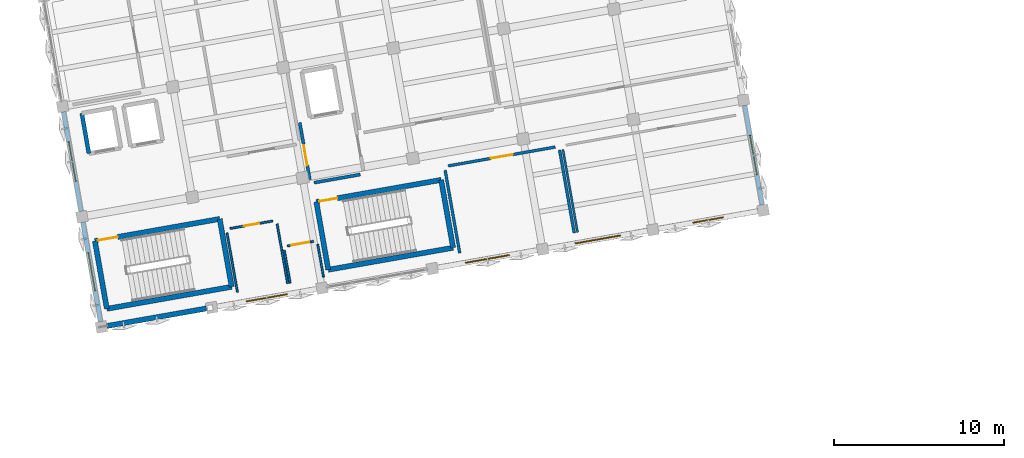
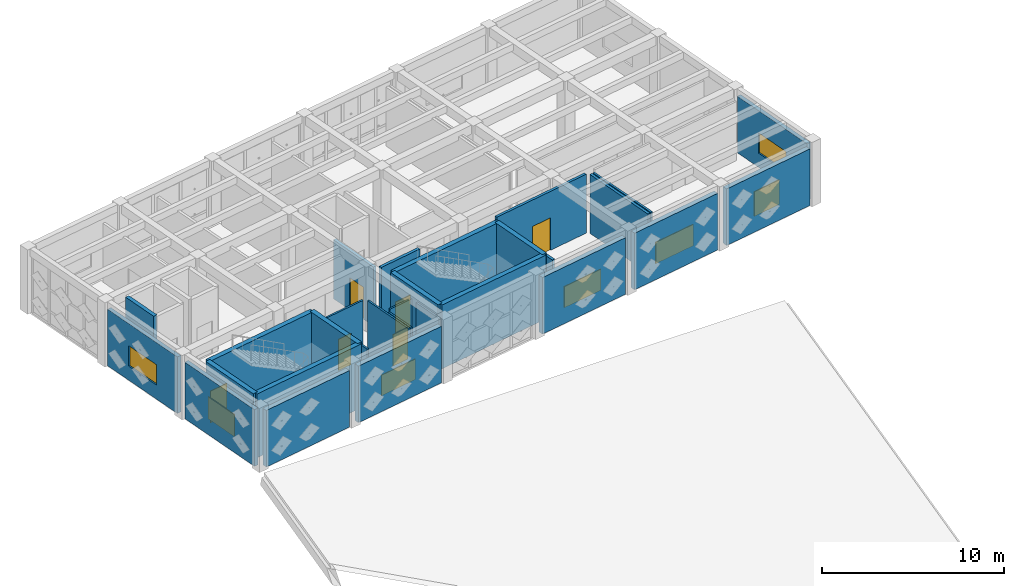
# One storey, part 29 of 39: 29 walls, 7 windows, 6 doors, 13 openings.
"""IFC4 building model written with IfcOpenShell, lengths in metres."""

from ifc_helpers import new_model, si_unit, direction, frame, frame_2d, origin, place, context, subcontext, project, spatial, rectangle, extrude, material, layer, layer_set, type_object, element, fill, save


model = new_model("IFC4")

# Units and contexts
model_context = context("Model", 3, precision=1e-05, world=origin(), true_north=direction((0.0, 1.0)))
body_context = subcontext(model_context, "Body", "Model", "MODEL_VIEW")
ifc_project = project(units=[si_unit("LENGTHUNIT", "METRE"), si_unit("AREAUNIT", "SQUARE_METRE"), si_unit("VOLUMEUNIT", "CUBIC_METRE"), si_unit("PLANEANGLEUNIT", "RADIAN"), si_unit("MASSUNIT", "GRAM", prefix="KILO")], contexts=[model_context])

# Site, building, storey
site_placement = place(None, origin())
site = spatial("IfcSite", under=ifc_project, at=site_placement, CompositionType="ELEMENT")
building_placement = place(site_placement, origin())
building = spatial("IfcBuilding", under=site, at=building_placement, Name="Kharisveld Research Institute", CompositionType="ELEMENT")
storey_placement = place(building_placement, frame((0.0, 0.0, 23.10009765625)))
storey = spatial("IfcBuildingStorey", under=building, at=storey_placement, Name="L05", CompositionType="ELEMENT", Elevation=23.10009765625)

# Walls
ifc_material_1 = material(Name="Concrete C40/50", Category="concrete")
ifc_layer_1 = layer(ifc_material_1, 0.239990234375)
ifc_layer_set_1 = layer_set([ifc_layer_1], Name="WL_CORE_240")
wall_type_1 = type_object("IfcWallType", Name="WL_CORE_240", PredefinedType="SHEAR", material=ifc_layer_set_1)
wall_1_placement = place(storey_placement, frame((4.462890625, 45.2373046875, 0.0), z_axis=(0.0, 0.0, 1.0), x_axis=(-0.173646056486, 0.984808127031, 0.0)))
element("IfcWall", 1, at=wall_1_placement, inside=storey, type_object=wall_type_1, Name="WL:LFT:PL-01:L05:W", PredefinedType="SHEAR", context=body_context, shape_type="SweptSolid", body=[
    extrude(rectangle(XDim=2.39990234375, YDim=0.239990234375, at=frame_2d((1.199951171875, 0.0))), origin(), (0.0, 0.0, 1.0), 4.27978515625),
])
ifc_material_2 = material(Name="Concrete C40/50", Category="concrete")
ifc_layer_2 = layer(ifc_material_2, 0.300048828125)
ifc_layer_set_2 = layer_set([ifc_layer_2], Name="WL_CORE_300")
wall_type_2 = type_object("IfcWallType", Name="WL_CORE_300", PredefinedType="SHEAR", material=ifc_layer_set_2)
wall_2_placement = place(storey_placement, frame((5.518798828125, 36.08154296875, 0.0), z_axis=(0.0, 0.0, 1.0), x_axis=(-0.173665267602, 0.984804739443, 0.0)))
element("IfcWall", 2, at=wall_2_placement, inside=storey, type_object=wall_type_2, Name="WL:STR:ST1:L05:W", PredefinedType="SHEAR", context=body_context, shape_type="SweptSolid", body=[
    extrude(rectangle(XDim=4.06005859375, YDim=0.300048828125, at=frame_2d((2.030029296875, 0.0))), origin(), (0.0, 0.0, 1.0), 4.27978515625),
])

# Wall, opening, door
wall_3_placement = place(storey_placement, frame((4.813720703125, 40.079833984375, 0.0), z_axis=(0.0, 0.0, 1.0), x_axis=(0.984802636214, 0.173677193974, 0.0)))
wall_3 = element("IfcWall", 3, at=wall_3_placement, inside=storey, type_object=wall_type_2, Name="WL:STR:ST1:L05:N", PredefinedType="SHEAR", context=body_context, shape_type="SweptSolid", body=[
    extrude(rectangle(XDim=7.469970703125, YDim=0.300048828125, at=frame_2d((3.73486328125, 0.0))), origin(), (0.0, 0.0, 1.0), 4.27978515625),
])
opening_1_placement = place(wall_3_placement, frame((0.179931640625, 0.0, 0.0)))
opening_1 = element("IfcOpeningElement", 4, at=opening_1_placement, cuts=wall_3, Name="Opening DS-007", PredefinedType="OPENING", context=body_context, shape_type="SweptSolid", body=[
    extrude(rectangle(XDim=1.179931640625, YDim=2.14990234375, at=frame_2d((0.58984375, 1.074951171875))), frame((0.0, 0.14990234375, 0.0), z_axis=(0.0, -1.0, 0.0), x_axis=(1.0, 0.0, 0.0)), (0.0, 0.0, 1.0), 0.300048828125),
])
ifc_material_3 = material(Name="Flush Painted Hardwood and Anodised Aluminium", Category="wood")
door_type_1 = type_object("IfcDoorType", Name="DR_FD60_118", OperationType="NOTDEFINED", PredefinedType="DOOR", material=ifc_material_3)
door_1_placement = place(opening_1_placement, origin())
door_1 = element("IfcDoor", 5, at=door_1_placement, inside=storey, type_object=door_type_1, Name="DR:STR:ST1:L05", OperationType="SINGLE_SWING_RIGHT", OverallHeight=2.14990234375, OverallWidth=1.179931640625, PredefinedType="DOOR", context=body_context, shape_type="SweptSolid", body=[
    extrude(rectangle(XDim=1.179931640625, YDim=2.14990234375, at=frame_2d((0.58984375, 1.074951171875))), frame((0.0, 0.02490234375, 0.0), z_axis=(0.0, -1.0, 0.0), x_axis=(1.0, 0.0, 0.0)), (0.0, 0.0, 1.0), 0.050048828125),
])
fill(opening_1, door_1)

# Walls
wall_4_placement = place(storey_placement, frame((12.170166015625, 41.377197265625, 0.0), z_axis=(0.0, 0.0, 1.0), x_axis=(0.173654983803, -0.984806552883, 0.0)))
element("IfcWall", 6, at=wall_4_placement, inside=storey, type_object=wall_type_2, Name="WL:STR:ST1:L05:E", PredefinedType="SHEAR", context=body_context, shape_type="SweptSolid", body=[
    extrude(rectangle(XDim=4.060302734375, YDim=0.300048828125, at=frame_2d((2.0302734375, 0.0))), origin(), (0.0, 0.0, 1.0), 4.27978515625),
])
wall_5_placement = place(storey_placement, frame((12.875244140625, 37.378662109375, 0.0), z_axis=(0.0, 0.0, 1.0), x_axis=(-0.984808225754, -0.173645496596, 0.0)))
element("IfcWall", 7, at=wall_5_placement, inside=storey, type_object=wall_type_2, Name="WL:STR:ST1:L05:S", PredefinedType="SHEAR", context=body_context, shape_type="SweptSolid", body=[
    extrude(rectangle(XDim=7.469970703125, YDim=0.300048828125, at=frame_2d((3.73486328125, 0.0))), origin(), (0.0, 0.0, 1.0), 4.27978515625),
])
wall_6_placement = place(storey_placement, frame((18.5673828125, 38.382568359375, 0.0), z_axis=(0.0, 0.0, 1.0), x_axis=(-0.173606946886, 0.984815022221, 0.0)))
element("IfcWall", 8, at=wall_6_placement, inside=storey, type_object=wall_type_2, Name="WL:STR:ST2:L05:W", PredefinedType="SHEAR", context=body_context, shape_type="SweptSolid", body=[
    extrude(rectangle(XDim=4.06005859375, YDim=0.300048828125, at=frame_2d((2.030029296875, 0.0))), origin(), (0.0, 0.0, 1.0), 4.27978515625),
])

# Wall, opening, door
wall_7_placement = place(storey_placement, frame((17.862548828125, 42.380859375, 0.0), z_axis=(0.0, 0.0, 1.0), x_axis=(0.984808225754, 0.173645496596, 0.0)))
wall_7 = element("IfcWall", 9, at=wall_7_placement, inside=storey, type_object=wall_type_2, Name="WL:STR:ST2:L05:N", PredefinedType="SHEAR", context=body_context, shape_type="SweptSolid", body=[
    extrude(rectangle(XDim=7.469970703125, YDim=0.300048828125, at=frame_2d((3.73486328125, 0.0))), origin(), (0.0, 0.0, 1.0), 4.27978515625),
])
opening_2_placement = place(wall_7_placement, frame((0.179931640625, 0.0, 0.0)))
opening_2 = element("IfcOpeningElement", 10, at=opening_2_placement, cuts=wall_7, Name="Opening DS-020", PredefinedType="OPENING", context=body_context, shape_type="SweptSolid", body=[
    extrude(rectangle(XDim=1.080078125, YDim=2.14990234375, at=frame_2d((0.5400390625, 1.074951171875))), frame((0.0, 0.14990234375, 0.0), z_axis=(0.0, -1.0, 0.0), x_axis=(1.0, 0.0, 0.0)), (0.0, 0.0, 1.0), 0.300048828125),
])
ifc_material_4 = material(Name="Flush Painted Hardwood and Anodised Aluminium", Category="wood")
door_type_2 = type_object("IfcDoorType", Name="DR_FD60_108", OperationType="NOTDEFINED", PredefinedType="DOOR", material=ifc_material_4)
door_2_placement = place(opening_2_placement, origin())
door_2 = element("IfcDoor", 11, at=door_2_placement, inside=storey, type_object=door_type_2, Name="DR:STR:ST2:L05", OperationType="SINGLE_SWING_LEFT", OverallHeight=2.14990234375, OverallWidth=1.080078125, PredefinedType="DOOR", context=body_context, shape_type="SweptSolid", body=[
    extrude(rectangle(XDim=1.080078125, YDim=2.14990234375, at=frame_2d((0.5400390625, 1.074951171875))), frame((0.0, 0.02490234375, 0.0), z_axis=(0.0, -1.0, 0.0), x_axis=(1.0, 0.0, 0.0)), (0.0, 0.0, 1.0), 0.050048828125),
])
fill(opening_2, door_2)

# Walls
wall_8_placement = place(storey_placement, frame((25.218994140625, 43.677978515625, 0.0), z_axis=(0.0, 0.0, 1.0), x_axis=(0.173665267602, -0.984804739443, 0.0)))
element("IfcWall", 12, at=wall_8_placement, inside=storey, type_object=wall_type_2, Name="WL:STR:ST2:L05:E", PredefinedType="SHEAR", context=body_context, shape_type="SweptSolid", body=[
    extrude(rectangle(XDim=4.06005859375, YDim=0.300048828125, at=frame_2d((2.030029296875, 0.0))), origin(), (0.0, 0.0, 1.0), 4.27978515625),
])
wall_9_placement = place(storey_placement, frame((25.924072265625, 39.6796875, 0.0), z_axis=(0.0, 0.0, 1.0), x_axis=(-0.984809211193, -0.173639907711, 0.0)))
element("IfcWall", 13, at=wall_9_placement, inside=storey, type_object=wall_type_2, Name="WL:STR:ST2:L05:S", PredefinedType="SHEAR", context=body_context, shape_type="SweptSolid", body=[
    extrude(rectangle(XDim=7.47021484375, YDim=0.300048828125, at=frame_2d((3.735107421875, 0.0))), origin(), (0.0, 0.0, 1.0), 4.27978515625),
])

# Wall, opening, window
ifc_material_5 = material(Name="Lightweight Acoustic Spandrel", Category="mineral")
ifc_layer_3 = layer(ifc_material_5, 0.2451171875)
ifc_layer_set_3 = layer_set([ifc_layer_3], Name="WL_EXT_245")
wall_type_3 = type_object("IfcWallType", Name="WL_EXT_245", PredefinedType="STANDARD", material=ifc_layer_set_3)
wall_10_placement = place(storey_placement, frame((3.998291015625, 41.824951171875, 0.0), z_axis=(0.0, 0.0, 1.0), x_axis=(-0.173645120828, 0.98480829201, 0.0)))
wall_10 = element("IfcWall", 14, at=wall_10_placement, inside=storey, type_object=wall_type_3, Name="WL:V1:L05:W1", PredefinedType="STANDARD", context=body_context, shape_type="SweptSolid", body=[
    extrude(rectangle(XDim=5.9599609375, YDim=0.2451171875, at=frame_2d((2.97998046875, 0.0))), origin(), (0.0, 0.0, 1.0), 3.794921875),
])
opening_3_placement = place(wall_10_placement, frame((1.800048828125, 0.0, 0.949951171875)))
opening_3 = element("IfcOpeningElement", 15, at=opening_3_placement, cuts=wall_10, Name="Opening WN-34", PredefinedType="OPENING", context=body_context, shape_type="SweptSolid", body=[
    extrude(rectangle(XDim=2.360107421875, YDim=1.360107421875, at=frame_2d((1.18017578125, 0.68017578125))), frame((0.0, 0.12255859375, 0.0), z_axis=(0.0, -1.0, 0.0), x_axis=(1.0, 0.0, 0.0)), (0.0, 0.0, 1.0), 0.2451171875),
])
ifc_material_6 = material(Name="Low-E Double Glazing", Category="glass")
window_type_1 = type_object("IfcWindowType", Name="WN_34", PartitioningType="DOUBLE_PANEL_VERTICAL", PredefinedType="WINDOW", material=ifc_material_6)
window_1_placement = place(opening_3_placement, origin())
window_1 = element("IfcWindow", 16, at=window_1_placement, inside=storey, type_object=window_type_1, Name="WN:V1:L05:W1", OverallHeight=1.360107421875, OverallWidth=2.360107421875, PartitioningType="SINGLE_PANEL", PredefinedType="WINDOW", context=body_context, shape_type="SweptSolid", body=[
    extrude(rectangle(XDim=2.360107421875, YDim=1.360107421875, at=frame_2d((1.18017578125, 0.68017578125))), frame((0.0, 0.030029296875, 0.0), z_axis=(0.0, -1.0, 0.0), x_axis=(1.0, 0.0, 0.0)), (0.0, 0.0, 1.0), 0.06005859375),
])
fill(opening_3, window_1)

wall_11_placement = place(storey_placement, frame((43.10791015625, 48.071044921875, 0.0), z_axis=(0.0, 0.0, 1.0), x_axis=(0.173645120828, -0.98480829201, 0.0)))
wall_11 = element("IfcWall", 17, at=wall_11_placement, inside=storey, type_object=wall_type_3, Name="WL:V1:L05:E1", PredefinedType="STANDARD", context=body_context, shape_type="SweptSolid", body=[
    extrude(rectangle(XDim=5.9599609375, YDim=0.2451171875, at=frame_2d((2.97998046875, 0.0))), origin(), (0.0, 0.0, 1.0), 3.794921875),
])
opening_4_placement = place(wall_11_placement, frame((1.800048828125, 0.0, 0.949951171875)))
opening_4 = element("IfcOpeningElement", 18, at=opening_4_placement, cuts=wall_11, Name="Opening WN-34", PredefinedType="OPENING", context=body_context, shape_type="SweptSolid", body=[
    extrude(rectangle(XDim=2.360107421875, YDim=1.360107421875, at=frame_2d((1.18017578125, 0.68017578125))), frame((0.0, 0.12255859375, 0.0), z_axis=(0.0, -1.0, 0.0), x_axis=(1.0, 0.0, 0.0)), (0.0, 0.0, 1.0), 0.2451171875),
])
window_2_placement = place(opening_4_placement, origin())
window_2 = element("IfcWindow", 19, at=window_2_placement, inside=storey, type_object=window_type_1, Name="WN:V1:L05:E1", OverallHeight=1.360107421875, OverallWidth=2.360107421875, PartitioningType="SINGLE_PANEL", PredefinedType="WINDOW", context=body_context, shape_type="SweptSolid", body=[
    extrude(rectangle(XDim=2.360107421875, YDim=1.360107421875, at=frame_2d((1.18017578125, 0.68017578125))), frame((0.0, 0.030029296875, 0.0), z_axis=(0.0, -1.0, 0.0), x_axis=(1.0, 0.0, 0.0)), (0.0, 0.0, 1.0), 0.06005859375),
])
fill(opening_4, window_2)

ifc_material_7 = material(Name="Precast Concrete C40/50 Thermal Wall", Category="concrete")
ifc_layer_4 = layer(ifc_material_7, 0.260009765625)
ifc_layer_set_4 = layer_set([ifc_layer_4], Name="WL_EXT_260")
wall_type_4 = type_object("IfcWallType", Name="WL_EXT_260", PredefinedType="STANDARD", material=ifc_layer_set_4)
wall_12_placement = place(storey_placement, frame((5.14453125, 35.3251953125, 0.0), z_axis=(0.0, 0.0, 1.0), x_axis=(-0.17368484894, 0.984801286173, 0.0)))
wall_12 = element("IfcWall", 20, at=wall_12_placement, inside=storey, type_object=wall_type_4, Name="WL:V1:L05:W0", PredefinedType="STANDARD", context=body_context, shape_type="SweptSolid", body=[
    extrude(rectangle(XDim=5.9599609375, YDim=0.260009765625, at=frame_2d((2.97998046875, 0.0))), origin(), (0.0, 0.0, 1.0), 3.794921875),
])
opening_5_placement = place(wall_12_placement, frame((1.844970703125, 0.0, 0.949951171875)))
opening_5 = element("IfcOpeningElement", 21, at=opening_5_placement, cuts=wall_12, Name="Opening WN-33", PredefinedType="OPENING", context=body_context, shape_type="SweptSolid", body=[
    extrude(rectangle(XDim=2.27001953125, YDim=1.47998046875, at=frame_2d((1.135009765625, 0.739990234375))), frame((0.0, 0.1298828125, 0.0), z_axis=(0.0, -1.0, 0.0), x_axis=(1.0, 0.0, 0.0)), (0.0, 0.0, 1.0), 0.260009765625),
])
ifc_material_8 = material(Name="Low-E Double Glazing", Category="glass")
window_type_2 = type_object("IfcWindowType", Name="WN_33", PartitioningType="DOUBLE_PANEL_VERTICAL", PredefinedType="WINDOW", material=ifc_material_8)
window_3_placement = place(opening_5_placement, origin())
window_3 = element("IfcWindow", 22, at=window_3_placement, inside=storey, type_object=window_type_2, Name="WN:V1:L05:W0", OverallHeight=1.47998046875, OverallWidth=2.27001953125, PartitioningType="SINGLE_PANEL", PredefinedType="WINDOW", context=body_context, shape_type="SweptSolid", body=[
    extrude(rectangle(XDim=2.27001953125, YDim=1.47998046875, at=frame_2d((1.135009765625, 0.739990234375))), frame((0.0, 0.030029296875, 0.0), z_axis=(0.0, -1.0, 0.0), x_axis=(1.0, 0.0, 0.0)), (0.0, 0.0, 1.0), 0.06005859375),
])
fill(opening_5, window_3)

ifc_material_9 = material(Name="Precast Concrete C40/50 Ochre Panel", Category="concrete")
ifc_layer_5 = layer(ifc_material_9, 0.304931640625)
ifc_layer_set_5 = layer_set([ifc_layer_5], Name="WL_EXT_305")
wall_type_5 = type_object("IfcWallType", Name="WL_EXT_305", PredefinedType="STANDARD", material=ifc_layer_set_5)
wall_13_placement = place(storey_placement, frame((43.88330078125, 41.830810546875, 0.0), z_axis=(0.0, 0.0, 1.0), x_axis=(-0.98480829201, -0.173645120828, 0.0)))
wall_13 = element("IfcWall", 23, at=wall_13_placement, inside=storey, type_object=wall_type_5, Name="WL:V1:L05:S6", PredefinedType="STANDARD", context=body_context, shape_type="SweptSolid", body=[
    extrude(rectangle(XDim=5.9599609375, YDim=0.304931640625, at=frame_2d((2.97998046875, 0.0))), origin(), (0.0, 0.0, 1.0), 3.794921875),
])
opening_6_placement = place(wall_13_placement, frame((2.080078125, 0.0, 0.949951171875)))
opening_6 = element("IfcOpeningElement", 24, at=opening_6_placement, cuts=wall_13, Name="Opening WN-01", PredefinedType="OPENING", context=body_context, shape_type="SweptSolid", body=[
    extrude(rectangle(XDim=1.800048828125, YDim=1.64990234375, at=frame_2d((0.89990234375, 0.824951171875))), frame((0.0, 0.15234375, 0.0), z_axis=(0.0, -1.0, 0.0), x_axis=(1.0, 0.0, 0.0)), (0.0, 0.0, 1.0), 0.304931640625),
])
ifc_material_10 = material(Name="Low-E Double Glazing", Category="glass")
window_type_3 = type_object("IfcWindowType", Name="WN_01", PartitioningType="DOUBLE_PANEL_VERTICAL", PredefinedType="WINDOW", material=ifc_material_10)
window_4_placement = place(opening_6_placement, origin())
window_4 = element("IfcWindow", 25, at=window_4_placement, inside=storey, type_object=window_type_3, Name="WN:V1:L05:S6", OverallHeight=1.64990234375, OverallWidth=1.800048828125, PartitioningType="SINGLE_PANEL", PredefinedType="WINDOW", context=body_context, shape_type="SweptSolid", body=[
    extrude(rectangle(XDim=1.800048828125, YDim=1.64990234375, at=frame_2d((0.89990234375, 0.824951171875))), frame((0.0, 0.030029296875, 0.0), z_axis=(0.0, -1.0, 0.0), x_axis=(1.0, 0.0, 0.0)), (0.0, 0.0, 1.0), 0.06005859375),
])
fill(opening_6, window_4)

wall_14_placement = place(storey_placement, frame((37.383544921875, 40.684814453125, 0.0), z_axis=(0.0, 0.0, 1.0), x_axis=(-0.98480829201, -0.173645120828, 0.0)))
wall_14 = element("IfcWall", 26, at=wall_14_placement, inside=storey, type_object=wall_type_5, Name="WL:V1:L05:S5", PredefinedType="STANDARD", context=body_context, shape_type="SweptSolid", body=[
    extrude(rectangle(XDim=5.9599609375, YDim=0.304931640625, at=frame_2d((2.97998046875, 0.0))), origin(), (0.0, 0.0, 1.0), 3.794921875),
])
opening_7_placement = place(wall_14_placement, frame((1.6201171875, 0.0, 0.949951171875)))
opening_7 = element("IfcOpeningElement", 27, at=opening_7_placement, cuts=wall_14, Name="Opening WN-38", PredefinedType="OPENING", context=body_context, shape_type="SweptSolid", body=[
    extrude(rectangle(XDim=2.719970703125, YDim=1.43994140625, at=frame_2d((1.35986328125, 0.719970703125))), frame((0.0, 0.15234375, 0.0), z_axis=(0.0, -1.0, 0.0), x_axis=(1.0, 0.0, 0.0)), (0.0, 0.0, 1.0), 0.304931640625),
])
ifc_material_11 = material(Name="Low-E Double Glazing", Category="glass")
window_type_4 = type_object("IfcWindowType", Name="WN_38", PartitioningType="DOUBLE_PANEL_VERTICAL", PredefinedType="WINDOW", material=ifc_material_11)
window_5_placement = place(opening_7_placement, origin())
window_5 = element("IfcWindow", 28, at=window_5_placement, inside=storey, type_object=window_type_4, Name="WN:V1:L05:S5", OverallHeight=1.43994140625, OverallWidth=2.719970703125, PartitioningType="SINGLE_PANEL", PredefinedType="WINDOW", context=body_context, shape_type="SweptSolid", body=[
    extrude(rectangle(XDim=2.719970703125, YDim=1.43994140625, at=frame_2d((1.35986328125, 0.719970703125))), frame((0.0, 0.030029296875, 0.0), z_axis=(0.0, -1.0, 0.0), x_axis=(1.0, 0.0, 0.0)), (0.0, 0.0, 1.0), 0.06005859375),
])
fill(opening_7, window_5)

wall_15_placement = place(storey_placement, frame((30.8837890625, 39.538818359375, 0.0), z_axis=(0.0, 0.0, 1.0), x_axis=(-0.98480829201, -0.173645120828, 0.0)))
wall_15 = element("IfcWall", 29, at=wall_15_placement, inside=storey, type_object=wall_type_5, Name="WL:V1:L05:S4", PredefinedType="STANDARD", context=body_context, shape_type="SweptSolid", body=[
    extrude(rectangle(XDim=5.9599609375, YDim=0.304931640625, at=frame_2d((2.97998046875, 0.0))), origin(), (0.0, 0.0, 1.0), 3.794921875),
])
opening_8_placement = place(wall_15_placement, frame((1.6650390625, 0.0, 0.949951171875)))
opening_8 = element("IfcOpeningElement", 30, at=opening_8_placement, cuts=wall_15, Name="Opening WN-37", PredefinedType="OPENING", context=body_context, shape_type="SweptSolid", body=[
    extrude(rectangle(XDim=2.6298828125, YDim=1.419921875, at=frame_2d((1.31494140625, 0.7099609375))), frame((0.0, 0.15234375, 0.0), z_axis=(0.0, -1.0, 0.0), x_axis=(1.0, 0.0, 0.0)), (0.0, 0.0, 1.0), 0.304931640625),
])
ifc_material_12 = material(Name="Low-E Double Glazing", Category="glass")
window_type_5 = type_object("IfcWindowType", Name="WN_37", PartitioningType="DOUBLE_PANEL_VERTICAL", PredefinedType="WINDOW", material=ifc_material_12)
window_6_placement = place(opening_8_placement, origin())
window_6 = element("IfcWindow", 31, at=window_6_placement, inside=storey, type_object=window_type_5, Name="WN:V1:L05:S4", OverallHeight=1.419921875, OverallWidth=2.6298828125, PartitioningType="SINGLE_PANEL", PredefinedType="WINDOW", context=body_context, shape_type="SweptSolid", body=[
    extrude(rectangle(XDim=2.6298828125, YDim=1.419921875, at=frame_2d((1.31494140625, 0.7099609375))), frame((0.0, 0.030029296875, 0.0), z_axis=(0.0, -1.0, 0.0), x_axis=(1.0, 0.0, 0.0)), (0.0, 0.0, 1.0), 0.06005859375),
])
fill(opening_8, window_6)

wall_16_placement = place(storey_placement, frame((17.88427734375, 37.24658203125, 0.0), z_axis=(0.0, 0.0, 1.0), x_axis=(-0.98480829201, -0.173645120828, 0.0)))
wall_16 = element("IfcWall", 32, at=wall_16_placement, inside=storey, type_object=wall_type_5, Name="WL:V1:L05:S2", PredefinedType="STANDARD", context=body_context, shape_type="SweptSolid", body=[
    extrude(rectangle(XDim=5.9599609375, YDim=0.304931640625, at=frame_2d((2.97998046875, 0.0))), origin(), (0.0, 0.0, 1.0), 3.794921875),
])
opening_9_placement = place(wall_16_placement, frame((1.7548828125, 0.0, 0.949951171875)))
opening_9 = element("IfcOpeningElement", 33, at=opening_9_placement, cuts=wall_16, Name="Opening WN-35", PredefinedType="OPENING", context=body_context, shape_type="SweptSolid", body=[
    extrude(rectangle(XDim=2.449951171875, YDim=1.3798828125, at=frame_2d((1.22509765625, 0.68994140625))), frame((0.0, 0.15234375, 0.0), z_axis=(0.0, -1.0, 0.0), x_axis=(1.0, 0.0, 0.0)), (0.0, 0.0, 1.0), 0.304931640625),
])
ifc_material_13 = material(Name="Low-E Double Glazing", Category="glass")
window_type_6 = type_object("IfcWindowType", Name="WN_35", PartitioningType="DOUBLE_PANEL_VERTICAL", PredefinedType="WINDOW", material=ifc_material_13)
window_7_placement = place(opening_9_placement, origin())
window_7 = element("IfcWindow", 34, at=window_7_placement, inside=storey, type_object=window_type_6, Name="WN:V1:L05:S2", OverallHeight=1.3798828125, OverallWidth=2.449951171875, PartitioningType="SINGLE_PANEL", PredefinedType="WINDOW", context=body_context, shape_type="SweptSolid", body=[
    extrude(rectangle(XDim=2.449951171875, YDim=1.3798828125, at=frame_2d((1.22509765625, 0.68994140625))), frame((0.0, 0.030029296875, 0.0), z_axis=(0.0, -1.0, 0.0), x_axis=(1.0, 0.0, 0.0)), (0.0, 0.0, 1.0), 0.06005859375),
])
fill(opening_9, window_7)

# Walls
wall_17_placement = place(storey_placement, frame((11.384521484375, 36.1005859375, 0.0), z_axis=(0.0, 0.0, 1.0), x_axis=(-0.98480829201, -0.173645120828, 0.0)))
element("IfcWall", 35, at=wall_17_placement, inside=storey, type_object=wall_type_5, Name="WL:V1:L05:S1", PredefinedType="STANDARD", context=body_context, shape_type="SweptSolid", body=[
    extrude(rectangle(XDim=5.9599609375, YDim=0.304931640625, at=frame_2d((2.97998046875, 0.0))), origin(), (0.0, 0.0, 1.0), 3.794921875),
])
ifc_material_14 = material(Name="Acoustic Drywall Partition", Category="mineral")
ifc_layer_6 = layer(ifc_material_14, 0.1650390625)
ifc_layer_set_6 = layer_set([ifc_layer_6], Name="WL_LAB_165")
wall_type_6 = type_object("IfcWallType", Name="WL_LAB_165", PredefinedType="PARTITIONING", material=ifc_layer_set_6)
wall_18_placement = place(storey_placement, frame((33.060791015625, 40.55224609375, 0.0), z_axis=(0.0, 0.0, 1.0), x_axis=(-0.173658971256, 0.98480584975, 0.0)))
element("IfcWall", 36, at=wall_18_placement, inside=storey, type_object=wall_type_6, Name="WL:RM:V1:L05:S1:E", PredefinedType="PARTITIONING", context=body_context, shape_type="SweptSolid", body=[
    extrude(rectangle(XDim=4.9599609375, YDim=0.1650390625, at=frame_2d((2.47998046875, 0.0))), origin(), (0.0, 0.0, 1.0), 3.949951171875),
])

# Wall, opening, door
wall_19_placement = place(storey_placement, frame((31.94482421875, 45.615234375, 0.0), z_axis=(0.0, 0.0, 1.0), x_axis=(-0.984809620557, -0.173637585958, 0.0)))
wall_19 = element("IfcWall", 37, at=wall_19_placement, inside=storey, type_object=wall_type_6, Name="WL:RM:V1:L05:S1:N", PredefinedType="PARTITIONING", context=body_context, shape_type="SweptSolid", body=[
    extrude(rectangle(XDim=6.41015625, YDim=0.1650390625, at=frame_2d((3.205078125, 0.0))), origin(), (0.0, 0.0, 1.0), 3.949951171875),
])
opening_10_placement = place(wall_19_placement, frame((2.554931640625, 0.0, 0.0)))
opening_10 = element("IfcOpeningElement", 38, at=opening_10_placement, cuts=wall_19, Name="Opening DI-119", PredefinedType="OPENING", context=body_context, shape_type="SweptSolid", body=[
    extrude(rectangle(XDim=1.300048828125, YDim=2.179931640625, at=frame_2d((0.64990234375, 1.08984375))), frame((0.0, 0.08251953125, 0.0), z_axis=(0.0, -1.0, 0.0), x_axis=(1.0, 0.0, 0.0)), (0.0, 0.0, 1.0), 0.1650390625),
])
ifc_material_15 = material(Name="Flush Painted Hardwood and Anodised Aluminium", Category="wood")
door_type_3 = type_object("IfcDoorType", Name="DR_SEM_130", OperationType="DOUBLE_DOOR_SINGLE_SWING", PredefinedType="DOOR", material=ifc_material_15)
door_3_placement = place(opening_10_placement, origin())
door_3 = element("IfcDoor", 39, at=door_3_placement, inside=storey, type_object=door_type_3, Name="DR:RM:V1:L05:S1:N", OperationType="DOUBLE_DOOR_SINGLE_SWING", OverallHeight=2.179931640625, OverallWidth=1.300048828125, PredefinedType="DOOR", context=body_context, shape_type="SweptSolid", body=[
    extrude(rectangle(XDim=1.300048828125, YDim=2.179931640625, at=frame_2d((0.64990234375, 1.08984375))), frame((0.0, 0.02490234375, 0.0), z_axis=(0.0, -1.0, 0.0), x_axis=(1.0, 0.0, 0.0)), (0.0, 0.0, 1.0), 0.050048828125),
])
fill(opening_10, door_3)

# Walls
wall_20_placement = place(storey_placement, frame((25.45361328125, 44.247314453125, 0.0), z_axis=(0.0, 0.0, 1.0), x_axis=(0.173658971256, -0.98480584975, 0.0)))
element("IfcWall", 40, at=wall_20_placement, inside=storey, type_object=wall_type_6, Name="WL:RM:V1:L05:S1:W", PredefinedType="PARTITIONING", context=body_context, shape_type="SweptSolid", body=[
    extrude(rectangle(XDim=4.9599609375, YDim=0.1650390625, at=frame_2d((2.47998046875, 0.0))), origin(), (0.0, 0.0, 1.0), 3.949951171875),
])
ifc_material_16 = material(Name="Masonry Blockwork", Category="masonry")
ifc_layer_7 = layer(ifc_material_16, 0.18505859375)
ifc_layer_set_7 = layer_set([ifc_layer_7], Name="WL_LOB_185")
wall_type_7 = type_object("IfcWallType", Name="WL_LOB_185", PredefinedType="SOLIDWALL", material=ifc_layer_set_7)
wall_21_placement = place(storey_placement, frame((17.7333984375, 43.515625, 0.0), z_axis=(0.0, 0.0, 1.0), x_axis=(0.984808483292, 0.173644035992, 0.0)))
element("IfcWall", 41, at=wall_21_placement, inside=storey, type_object=wall_type_7, Name="WL:RM:V1:L05:FFL:S", PredefinedType="SOLIDWALL", context=body_context, shape_type="SweptSolid", body=[
    extrude(rectangle(XDim=2.760009765625, YDim=0.18505859375, at=frame_2d((1.3798828125, 0.0))), origin(), (0.0, 0.0, 1.0), 3.949951171875),
])

# Wall, opening, door
wall_22_placement = place(storey_placement, frame((16.886474609375, 47.05224609375, 0.0), z_axis=(0.0, 0.0, 1.0), x_axis=(0.173621956536, -0.984812376145, 0.0)))
wall_22 = element("IfcWall", 42, at=wall_22_placement, inside=storey, type_object=wall_type_7, Name="WL:RM:V1:L05:FFL:W", PredefinedType="SOLIDWALL", context=body_context, shape_type="SweptSolid", body=[
    extrude(rectangle(XDim=3.409912109375, YDim=0.18505859375, at=frame_2d((1.705078125, 0.0))), origin(), (0.0, 0.0, 1.0), 3.949951171875),
])
opening_11_placement = place(wall_22_placement, frame((1.360107421875, 0.0, 0.0)))
opening_11 = element("IfcOpeningElement", 43, at=opening_11_placement, cuts=wall_22, Name="Opening DI-112", PredefinedType="OPENING", context=body_context, shape_type="SweptSolid", body=[
    extrude(rectangle(XDim=1.199951171875, YDim=2.14990234375, at=frame_2d((0.60009765625, 1.074951171875))), frame((0.0, 0.092529296875, 0.0), z_axis=(0.0, -1.0, 0.0), x_axis=(1.0, 0.0, 0.0)), (0.0, 0.0, 1.0), 0.18505859375),
])
ifc_material_17 = material(Name="Flush Painted Hardwood and Anodised Aluminium", Category="wood")
door_type_4 = type_object("IfcDoorType", Name="DR_FD120_120", OperationType="NOTDEFINED", PredefinedType="DOOR", material=ifc_material_17)
door_4_placement = place(opening_11_placement, origin())
door_4 = element("IfcDoor", 44, at=door_4_placement, inside=storey, type_object=door_type_4, Name="DR:RM:V1:L05:FFL:W", OperationType="SINGLE_SWING_LEFT", OverallHeight=2.14990234375, OverallWidth=1.199951171875, PredefinedType="DOOR", context=body_context, shape_type="SweptSolid", body=[
    extrude(rectangle(XDim=1.199951171875, YDim=2.14990234375, at=frame_2d((0.60009765625, 1.074951171875))), frame((0.0, 0.02490234375, 0.0), z_axis=(0.0, -1.0, 0.0), x_axis=(1.0, 0.0, 0.0)), (0.0, 0.0, 1.0), 0.050048828125),
])
fill(opening_11, door_4)

# Walls
ifc_material_18 = material(Name="Insulated Stud Partition", Category="mineral")
ifc_layer_8 = layer(ifc_material_18, 0.125)
ifc_layer_set_8 = layer_set([ifc_layer_8], Name="WL_OFF_125")
wall_type_8 = type_object("IfcWallType", Name="WL_OFF_125", PredefinedType="PARTITIONING", material=ifc_layer_set_8)
wall_23_placement = place(storey_placement, frame((32.396484375, 45.4716796875, 0.0), z_axis=(0.0, 0.0, 1.0), x_axis=(0.173650553511, -0.984807334084, 0.0)))
element("IfcWall", 45, at=wall_23_placement, inside=storey, type_object=wall_type_8, Name="WL:RM:V1:L05:S2:W", PredefinedType="PARTITIONING", context=body_context, shape_type="SweptSolid", body=[
    extrude(rectangle(XDim=4.960205078125, YDim=0.125, at=frame_2d((2.47998046875, 0.0))), origin(), (0.0, 0.0, 1.0), 3.949951171875),
])
ifc_material_19 = material(Name="Moisture-Resistant Partition", Category="mineral")
ifc_layer_9 = layer(ifc_material_19, 0.114990234375)
ifc_layer_set_9 = layer_set([ifc_layer_9], Name="WL_WC_115")
wall_type_9 = type_object("IfcWallType", Name="WL_WC_115", PredefinedType="PARTITIONING", material=ifc_layer_set_9)
wall_24_placement = place(storey_placement, frame((16.17138671875, 37.57421875, 0.0), z_axis=(0.0, 0.0, 1.0), x_axis=(-0.173644490041, 0.984808403233, 0.0)))
element("IfcWall", 46, at=wall_24_placement, inside=storey, type_object=wall_type_9, Name="WL:RM:V1:L05:WCM:E", PredefinedType="PARTITIONING", context=body_context, shape_type="SweptSolid", body=[
    extrude(rectangle(XDim=3.56005859375, YDim=0.114990234375, at=frame_2d((1.780029296875, 0.0))), origin(), (0.0, 0.0, 1.0), 3.949951171875),
])

# Wall, opening, door
wall_25_placement = place(storey_placement, frame((15.29833984375, 41.258544921875, 0.0), z_axis=(0.0, 0.0, 1.0), x_axis=(-0.984803714572, -0.17367107924, 0.0)))
wall_25 = element("IfcWall", 47, at=wall_25_placement, inside=storey, type_object=wall_type_9, Name="WL:RM:V1:L05:WCM:N", PredefinedType="PARTITIONING", context=body_context, shape_type="SweptSolid", body=[
    extrude(rectangle(XDim=2.559814453125, YDim=0.114990234375, at=frame_2d((1.27978515625, 0.0))), origin(), (0.0, 0.0, 1.0), 3.949951171875),
])
opening_12_placement = place(wall_25_placement, frame((0.830078125, 0.0, 0.0)))
opening_12 = element("IfcOpeningElement", 48, at=opening_12_placement, cuts=wall_25, Name="Opening DI-113", PredefinedType="OPENING", context=body_context, shape_type="SweptSolid", body=[
    extrude(rectangle(XDim=0.89990234375, YDim=2.10009765625, at=frame_2d((0.449951171875, 1.050048828125))), frame((0.0, 0.0576171875, 0.0), z_axis=(0.0, -1.0, 0.0), x_axis=(1.0, 0.0, 0.0)), (0.0, 0.0, 1.0), 0.114990234375),
])
ifc_material_20 = material(Name="Flush Painted Hardwood and Anodised Aluminium", Category="wood")
door_type_5 = type_object("IfcDoorType", Name="DR_WC_090", OperationType="NOTDEFINED", PredefinedType="DOOR", material=ifc_material_20)
door_5_placement = place(opening_12_placement, origin())
door_5 = element("IfcDoor", 49, at=door_5_placement, inside=storey, type_object=door_type_5, Name="DR:RM:V1:L05:WCM:N", OperationType="SINGLE_SWING_RIGHT", OverallHeight=2.10009765625, OverallWidth=0.89990234375, PredefinedType="DOOR", context=body_context, shape_type="SweptSolid", body=[
    extrude(rectangle(XDim=0.89990234375, YDim=2.10009765625, at=frame_2d((0.449951171875, 1.050048828125))), frame((0.0, 0.02490234375, 0.0), z_axis=(0.0, -1.0, 0.0), x_axis=(1.0, 0.0, 0.0)), (0.0, 0.0, 1.0), 0.050048828125),
])
fill(opening_12, door_5)

# Walls
wall_26_placement = place(storey_placement, frame((12.598876953125, 40.55908203125, 0.0), z_axis=(0.0, 0.0, 1.0), x_axis=(0.173644490041, -0.984808403233, 0.0)))
element("IfcWall", 50, at=wall_26_placement, inside=storey, type_object=wall_type_9, Name="WL:RM:V1:L05:WCM:W", PredefinedType="PARTITIONING", context=body_context, shape_type="SweptSolid", body=[
    extrude(rectangle(XDim=3.56005859375, YDim=0.114990234375, at=frame_2d((1.780029296875, 0.0))), origin(), (0.0, 0.0, 1.0), 3.949951171875),
])
wall_27_placement = place(storey_placement, frame((18.288818359375, 37.947509765625, 0.0), z_axis=(0.0, 0.0, 1.0), x_axis=(-0.173643211285, 0.984808628706, 0.0)))
element("IfcWall", 51, at=wall_27_placement, inside=storey, type_object=wall_type_9, Name="WL:RM:V1:L05:WCA:E", PredefinedType="PARTITIONING", context=body_context, shape_type="SweptSolid", body=[
    extrude(rectangle(XDim=1.9599609375, YDim=0.114990234375, at=frame_2d((0.97998046875, 0.0))), origin(), (0.0, 0.0, 1.0), 3.69482421875),
])

# Wall, opening, door
wall_28_placement = place(storey_placement, frame((17.693603515625, 40.05615234375, 0.0), z_axis=(0.0, 0.0, 1.0), x_axis=(-0.984797734253, -0.173704987291, 0.0)))
wall_28 = element("IfcWall", 52, at=wall_28_placement, inside=storey, type_object=wall_type_9, Name="WL:RM:V1:L05:WCA:N", PredefinedType="PARTITIONING", context=body_context, shape_type="SweptSolid", body=[
    extrude(rectangle(XDim=1.56005859375, YDim=0.114990234375, at=frame_2d((0.780029296875, 0.0))), origin(), (0.0, 0.0, 1.0), 3.949951171875),
])
opening_13_placement = place(wall_28_placement, frame((0.25, 0.0, 0.0)))
opening_13 = element("IfcOpeningElement", 53, at=opening_13_placement, cuts=wall_28, Name="Opening DI-114", PredefinedType="OPENING", context=body_context, shape_type="SweptSolid", body=[
    extrude(rectangle(XDim=1.06005859375, YDim=2.1201171875, at=frame_2d((0.530029296875, 1.06005859375))), frame((0.0, 0.0576171875, 0.0), z_axis=(0.0, -1.0, 0.0), x_axis=(1.0, 0.0, 0.0)), (0.0, 0.0, 1.0), 0.114990234375),
])
ifc_material_21 = material(Name="Flush Painted Hardwood and Anodised Aluminium", Category="wood")
door_type_6 = type_object("IfcDoorType", Name="DR_WCA_106", OperationType="NOTDEFINED", PredefinedType="DOOR", material=ifc_material_21)
door_6_placement = place(opening_13_placement, origin())
door_6 = element("IfcDoor", 54, at=door_6_placement, inside=storey, type_object=door_type_6, Name="DR:RM:V1:L05:WCA:N", OperationType="SINGLE_SWING_LEFT", OverallHeight=2.1201171875, OverallWidth=1.06005859375, PredefinedType="DOOR", context=body_context, shape_type="SweptSolid", body=[
    extrude(rectangle(XDim=1.06005859375, YDim=2.1201171875, at=frame_2d((0.530029296875, 1.06005859375))), frame((0.0, 0.02490234375, 0.0), z_axis=(0.0, -1.0, 0.0), x_axis=(1.0, 0.0, 0.0)), (0.0, 0.0, 1.0), 0.050048828125),
])
fill(opening_13, door_6)

# Wall
wall_29_placement = place(storey_placement, frame((15.978759765625, 39.5302734375, 0.0), z_axis=(0.0, 0.0, 1.0), x_axis=(0.173643211285, -0.984808628706, 0.0)))
element("IfcWall", 55, at=wall_29_placement, inside=storey, type_object=wall_type_9, Name="WL:RM:V1:L05:WCA:W", PredefinedType="PARTITIONING", context=body_context, shape_type="SweptSolid", body=[
    extrude(rectangle(XDim=1.9599609375, YDim=0.114990234375, at=frame_2d((0.97998046875, 0.0))), origin(), (0.0, 0.0, 1.0), 3.949951171875),
])

save(model, "model.ifc")
